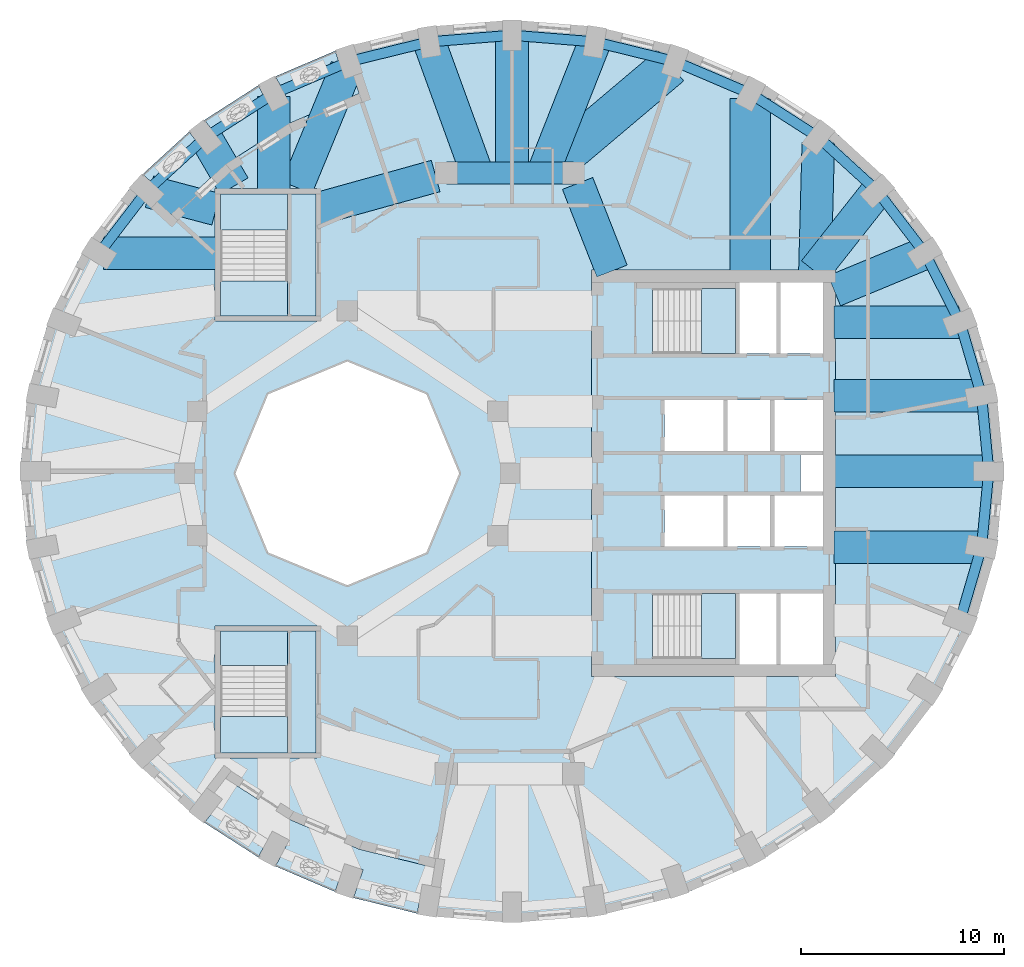
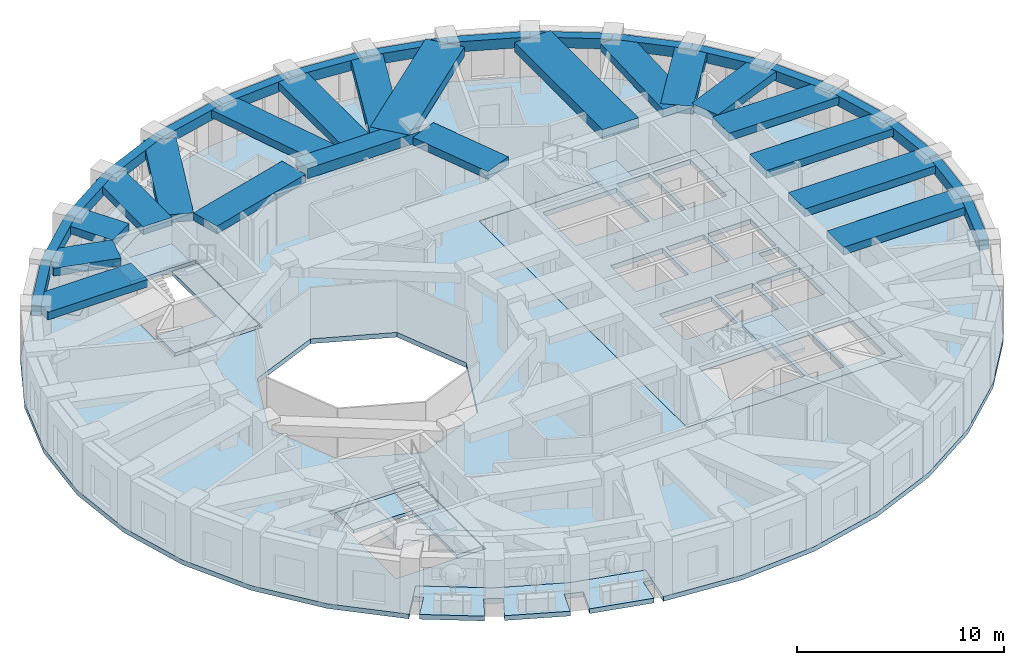
# One storey, part 2 of 12: 37 beams, 12 slabs, 4 elements without a shape of their own.
"""IFC4 building model written with IfcOpenShell, lengths in metres."""

from ifc_helpers import new_model, si_unit, direction, frame, origin, origin_2d, place, context, subcontext, project, spatial, polyline, rectangle, outline, extrude, material, layer, layer_set, material_profile, profile_set, type_object, element, aggregate, save


model = new_model("IFC4")

# Units and contexts
model_context = context("Model", 3, precision=1e-05, world=origin(), true_north=direction((0.0, 1.0)))
body_context = subcontext(model_context, "Body", "Model", "MODEL_VIEW")
ifc_project = project(units=[si_unit("LENGTHUNIT", "METRE"), si_unit("AREAUNIT", "SQUARE_METRE"), si_unit("VOLUMEUNIT", "CUBIC_METRE"), si_unit("PLANEANGLEUNIT", "RADIAN"), si_unit("MASSUNIT", "GRAM", prefix="KILO")], contexts=[model_context])

# Site, building, storey
site_placement = place(None, origin())
site = spatial("IfcSite", under=ifc_project, at=site_placement, CompositionType="ELEMENT")
building_placement = place(site_placement, origin())
building = spatial("IfcBuilding", under=site, at=building_placement, Name="Taillehof Tower", CompositionType="ELEMENT")
storey_placement = place(building_placement, frame((0.0, 0.0, 171.5)))
storey = spatial("IfcBuildingStorey", under=building, at=storey_placement, Name="L48", CompositionType="ELEMENT", Elevation=171.5)

# Beams
ifc_material_1 = material(Name="Concrete C50/60", Category="concrete")
ifc_material_profile_1 = material_profile(ifc_material_1, rectangle(XDim=1.10009765625, YDim=0.60009765625, at=origin_2d()), Name="RC 1100x600")
ifc_profile_set_1 = profile_set([ifc_material_profile_1], Name="Concrete C50/60")
beam_type_1 = type_object("IfcBeamType", Name="Mid-ring beam C50/60 1100x600", PredefinedType="BEAM", material=ifc_profile_set_1)
beam_1_placement = place(storey_placement, frame((3.125732421875, 14.772216796875, 2.719970703125), z_axis=(-1.0, 0.0, 0.0), x_axis=(0.0, -1.0, 0.0)))
element("IfcBeam", 1, at=beam_1_placement, inside=storey, type_object=beam_type_1, Name="Mid-ring beam MB01", PredefinedType="BEAM", context=body_context, shape_type="SweptSolid", body=[
    extrude(rectangle(XDim=1.10009765625, YDim=0.60009765625, at=origin_2d()), origin(), (0.0, 0.0, 1.0), 6.25146484375),
])
ifc_material_2 = material(Name="Concrete C50/60", Category="concrete")
ifc_material_profile_2 = material_profile(ifc_material_2, rectangle(XDim=1.60009765625, YDim=0.449951171875, at=origin_2d()), Name="RC 1600x450")
ifc_profile_set_2 = profile_set([ifc_material_profile_2], Name="Concrete C50/60")
beam_type_2 = type_object("IfcBeamType", Name="Radial band beam C50/60 1600x450", PredefinedType="BEAM", material=ifc_profile_set_2)
beam_2_placement = place(storey_placement, frame((23.550048828125, 0.10009765625, 2.794921875), z_axis=(-1.0, 0.0, 0.0), x_axis=(0.0, -1.0, 0.0)))
element("IfcBeam", 2, at=beam_2_placement, inside=storey, type_object=beam_type_2, Name="Radial band beam RB01", PredefinedType="BEAM", context=body_context, shape_type="SweptSolid", body=[
    extrude(rectangle(XDim=1.60009765625, YDim=0.449951171875, at=origin_2d()), origin(), (0.0, 0.0, 1.0), 7.60009765625),
])
beam_3_placement = place(storey_placement, frame((23.19384765625, 3.82470703125, 2.794921875), z_axis=(-1.0, 0.0, 0.0), x_axis=(0.0, -1.0, 0.0)))
element("IfcBeam", 3, at=beam_3_placement, inside=storey, type_object=beam_type_2, Name="Radial band beam RB02", PredefinedType="BEAM", context=body_context, shape_type="SweptSolid", body=[
    extrude(rectangle(XDim=1.60009765625, YDim=0.449951171875, at=origin_2d()), origin(), (0.0, 0.0, 1.0), 7.243896484375),
])
beam_4_placement = place(storey_placement, frame((22.08642578125, 7.436279296875, 2.794921875), z_axis=(-1.0, 0.0, 0.0), x_axis=(0.0, -1.0, 0.0)))
element("IfcBeam", 4, at=beam_4_placement, inside=storey, type_object=beam_type_2, Name="Radial band beam RB03", PredefinedType="BEAM", context=body_context, shape_type="SweptSolid", body=[
    extrude(rectangle(XDim=1.60009765625, YDim=0.449951171875, at=origin_2d()), origin(), (0.0, 0.0, 1.0), 6.136474609375),
])
beam_5_placement = place(storey_placement, frame((20.408203125, 10.824951171875, 2.794921875), z_axis=(-0.92395697655, -0.382496412381, 0.0), x_axis=(0.382496412381, -0.92395697655, 0.0)))
element("IfcBeam", 5, at=beam_5_placement, inside=storey, type_object=beam_type_2, Name="Radial band beam RB04", PredefinedType="BEAM", context=body_context, shape_type="SweptSolid", body=[
    extrude(rectangle(XDim=1.60009765625, YDim=0.449951171875, at=origin_2d()), origin(), (0.0, 0.0, 1.0), 4.821044921875),
])
beam_6_placement = place(storey_placement, frame((18.063720703125, 13.8876953125, 2.794921875), z_axis=(-0.618961692467, -0.785421175713, 0.0), x_axis=(0.785421175713, -0.618961692467, 0.0)))
element("IfcBeam", 6, at=beam_6_placement, inside=storey, type_object=beam_type_2, Name="Radial band beam RB05", PredefinedType="BEAM", context=body_context, shape_type="SweptSolid", body=[
    extrude(rectangle(XDim=1.60009765625, YDim=0.449951171875, at=origin_2d()), origin(), (0.0, 0.0, 1.0), 4.999755859375),
])
beam_7_placement = place(storey_placement, frame((15.166259765625, 16.259765625, 2.794921875), z_axis=(-0.026533506529, -0.999647924537, 0.0), x_axis=(0.999647924537, -0.026533506529, 0.0)))
element("IfcBeam", 7, at=beam_7_placement, inside=storey, type_object=beam_type_2, Name="Radial band beam RB06", PredefinedType="BEAM", context=body_context, shape_type="SweptSolid", body=[
    extrude(rectangle(XDim=1.60009765625, YDim=0.449951171875, at=origin_2d()), origin(), (0.0, 0.0, 1.0), 6.31201171875),
])
beam_8_placement = place(storey_placement, frame((4.172119140625, 21.22412109375, 2.794921875), z_axis=(-0.36711444375, -0.930175781877, 0.0), x_axis=(0.930175781877, -0.36711444375, 0.0)))
element("IfcBeam", 8, at=beam_8_placement, inside=storey, type_object=beam_type_2, Name="Radial band beam RB09", PredefinedType="BEAM", context=body_context, shape_type="SweptSolid", body=[
    extrude(rectangle(XDim=1.60009765625, YDim=0.449951171875, at=origin_2d()), origin(), (0.0, 0.0, 1.0), 6.936279296875),
])
beam_9_placement = place(storey_placement, frame((0.10009765625, 21.550048828125, 2.794921875), z_axis=(0.0, -1.0, 0.0), x_axis=(1.0, 0.0, 0.0)))
element("IfcBeam", 9, at=beam_9_placement, inside=storey, type_object=beam_type_2, Name="Radial band beam RB10", PredefinedType="BEAM", context=body_context, shape_type="SweptSolid", body=[
    extrude(rectangle(XDim=1.60009765625, YDim=0.449951171875, at=origin_2d()), origin(), (0.0, 0.0, 1.0), 6.77783203125),
])
beam_10_placement = place(storey_placement, frame((-3.97216796875, 21.22412109375, 2.794921875), z_axis=(0.341780181607, -0.939779925015, 0.0), x_axis=(0.939779925015, 0.341780181607, 0.0)))
element("IfcBeam", 10, at=beam_10_placement, inside=storey, type_object=beam_type_2, Name="Radial band beam RB11", PredefinedType="BEAM", context=body_context, shape_type="SweptSolid", body=[
    extrude(rectangle(XDim=1.60009765625, YDim=0.449951171875, at=origin_2d()), origin(), (0.0, 0.0, 1.0), 6.865234375),
])
beam_11_placement = place(storey_placement, frame((-8.04443359375, 19.95556640625, 2.794921875), z_axis=(-0.381176869418, -0.924502133162, 0.0), x_axis=(0.924502133162, -0.381176869418, 0.0)))
element("IfcBeam", 11, at=beam_11_placement, inside=storey, type_object=beam_type_2, Name="Radial band beam RB12", PredefinedType="BEAM", context=body_context, shape_type="SweptSolid", body=[
    extrude(rectangle(XDim=1.60009765625, YDim=0.449951171875, at=origin_2d()), origin(), (0.0, 0.0, 1.0), 6.382568359375),
])
beam_12_placement = place(storey_placement, frame((-11.625, 18.536376953125, 2.794921875), z_axis=(0.0, -1.0, 0.0), x_axis=(1.0, 0.0, 0.0)))
element("IfcBeam", 12, at=beam_12_placement, inside=storey, type_object=beam_type_2, Name="Radial band beam RB13", PredefinedType="BEAM", context=body_context, shape_type="SweptSolid", body=[
    extrude(rectangle(XDim=1.60009765625, YDim=0.449951171875, at=origin_2d()), origin(), (0.0, 0.0, 1.0), 4.58642578125),
])
beam_13_placement = place(storey_placement, frame((-14.973388671875, 16.53173828125, 2.794921875), z_axis=(0.502991419937, -0.864291404255, 0.0), x_axis=(0.864291404255, 0.502991419937, 0.0)))
element("IfcBeam", 13, at=beam_13_placement, inside=storey, type_object=beam_type_2, Name="Radial band beam RB14", PredefinedType="BEAM", context=body_context, shape_type="SweptSolid", body=[
    extrude(rectangle(XDim=1.60009765625, YDim=0.449951171875, at=origin_2d()), origin(), (0.0, 0.0, 1.0), 2.779296875),
])
beam_14_placement = place(storey_placement, frame((-17.72998046875, 13.8525390625, 2.794921875), z_axis=(0.966882543987, -0.255221758736, 0.0), x_axis=(0.255221758736, 0.966882543987, 0.0)))
element("IfcBeam", 14, at=beam_14_placement, inside=storey, type_object=beam_type_2, Name="Radial band beam RB15", PredefinedType="BEAM", context=body_context, shape_type="SweptSolid", body=[
    extrude(rectangle(XDim=1.60009765625, YDim=0.449951171875, at=origin_2d()), origin(), (0.0, 0.0, 1.0), 3.381591796875),
])
beam_15_placement = place(storey_placement, frame((-19.9990234375, 10.824951171875, 2.794921875), z_axis=(1.0, 0.0, 0.0), x_axis=(0.0, 1.0, 0.0)))
element("IfcBeam", 15, at=beam_15_placement, inside=storey, type_object=beam_type_2, Name="Radial band beam RB16", PredefinedType="BEAM", context=body_context, shape_type="SweptSolid", body=[
    extrude(rectangle(XDim=1.60009765625, YDim=0.449951171875, at=origin_2d()), origin(), (0.0, 0.0, 1.0), 5.549072265625),
])
beam_16_placement = place(storey_placement, frame((23.19384765625, -3.624755859375, 2.794921875), z_axis=(-1.0, 0.0, 0.0), x_axis=(0.0, -1.0, 0.0)))
element("IfcBeam", 16, at=beam_16_placement, inside=storey, type_object=beam_type_2, Name="Radial band beam RB36", PredefinedType="BEAM", context=body_context, shape_type="SweptSolid", body=[
    extrude(rectangle(XDim=1.60009765625, YDim=0.449951171875, at=origin_2d()), origin(), (0.0, 0.0, 1.0), 7.243896484375),
])
beam_17_placement = place(storey_placement, frame((3.32666015625, 14.26025390625, 2.794921875), z_axis=(0.365588707223, -0.930776502255, 0.0), x_axis=(0.930776502255, 0.365588707223, 0.0)))
element("IfcBeam", 17, at=beam_17_placement, inside=storey, type_object=beam_type_2, Name="Inner band beam IB205", PredefinedType="BEAM", context=body_context, shape_type="SweptSolid", body=[
    extrude(rectangle(XDim=1.60009765625, YDim=0.449951171875, at=origin_2d()), origin(), (0.0, 0.0, 1.0), 4.627197265625),
])
beam_18_placement = place(storey_placement, frame((-3.655517578125, 14.624755859375, 2.794921875), z_axis=(-0.963459369536, -0.267854518821, 0.0), x_axis=(0.267854518821, -0.963459369536, 0.0)))
element("IfcBeam", 18, at=beam_18_placement, inside=storey, type_object=beam_type_2, Name="Inner band beam IB206", PredefinedType="BEAM", context=body_context, shape_type="SweptSolid", body=[
    extrude(rectangle(XDim=1.60009765625, YDim=0.449951171875, at=origin_2d()), origin(), (0.0, 0.0, 1.0), 6.096923828125),
])
ifc_material_3 = material(Name="Concrete C50/60", Category="concrete")
ifc_material_profile_3 = material_profile(ifc_material_3, rectangle(XDim=2.0, YDim=0.550048828125, at=origin_2d()), Name="RC 2000x550")
ifc_profile_set_3 = profile_set([ifc_material_profile_3], Name="Concrete C50/60")
beam_type_3 = type_object("IfcBeamType", Name="Radial band beam C50/60 2000x550", PredefinedType="BEAM", material=ifc_profile_set_3)
beam_19_placement = place(storey_placement, frame((11.824951171875, 18.430908203125, 2.7451171875), z_axis=(0.0, -1.0, 0.0), x_axis=(1.0, 0.0, 0.0)))
element("IfcBeam", 19, at=beam_19_placement, inside=storey, type_object=beam_type_3, Name="Radial band beam RB07", PredefinedType="BEAM", context=body_context, shape_type="SweptSolid", body=[
    extrude(rectangle(XDim=2.0, YDim=0.550048828125, at=origin_2d()), origin(), (0.0, 0.0, 1.0), 8.48095703125),
])
beam_20_placement = place(storey_placement, frame((7.900390625, 20.070556640625, 2.7451171875), z_axis=(-0.764038060196, -0.645171173079, 0.0), x_axis=(0.645171173079, -0.764038060196, 0.0)))
element("IfcBeam", 20, at=beam_20_placement, inside=storey, type_object=beam_type_3, Name="Radial band beam RB08", PredefinedType="BEAM", context=body_context, shape_type="SweptSolid", body=[
    extrude(rectangle(XDim=2.0, YDim=0.550048828125, at=origin_2d()), origin(), (0.0, 0.0, 1.0), 7.880859375),
])
ifc_material_4 = material(Name="Concrete C50/60", Category="concrete")
ifc_material_profile_4 = material_profile(ifc_material_4, rectangle(XDim=0.5, YDim=0.60009765625, at=origin_2d()), Name="RC 500x600")
ifc_profile_set_4 = profile_set([ifc_material_profile_4], Name="Concrete C50/60")
beam_type_4 = type_object("IfcBeamType", Name="Spandrel beam C50/60 500x600", PredefinedType="SPANDREL", material=ifc_profile_set_4)
beam_21_placement = place(storey_placement, frame((23.550048828125, 0.10009765625, 2.719970703125), z_axis=(-0.095200147056, 0.995458151808, 0.0), x_axis=(-0.995458151808, -0.095200147056, 0.0)))
element("IfcBeam", 21, at=beam_21_placement, inside=storey, type_object=beam_type_4, Name="Spandrel beam SB01", PredefinedType="SPANDREL", context=body_context, shape_type="SweptSolid", body=[
    extrude(rectangle(XDim=0.5, YDim=0.60009765625, at=origin_2d()), origin(), (0.0, 0.0, 1.0), 3.74169921875),
])
beam_22_placement = place(storey_placement, frame((23.19384765625, 3.82470703125, 2.719970703125), z_axis=(-0.281158162606, 0.959661444261, 0.0), x_axis=(-0.959661444261, -0.281158162606, 0.0)))
element("IfcBeam", 22, at=beam_22_placement, inside=storey, type_object=beam_type_4, Name="Spandrel beam SB02", PredefinedType="SPANDREL", context=body_context, shape_type="SweptSolid", body=[
    extrude(rectangle(XDim=0.5, YDim=0.60009765625, at=origin_2d()), origin(), (0.0, 0.0, 1.0), 3.763427734375),
])
beam_23_placement = place(storey_placement, frame((22.1357421875, 7.436279296875, 2.719970703125), z_axis=(-0.454183451696, 0.890908183937, 0.0), x_axis=(-0.890908183937, -0.454183451696, 0.0)))
element("IfcBeam", 23, at=beam_23_placement, inside=storey, type_object=beam_type_4, Name="Spandrel beam SB03", PredefinedType="SPANDREL", context=body_context, shape_type="SweptSolid", body=[
    extrude(rectangle(XDim=0.5, YDim=0.60009765625, at=origin_2d()), origin(), (0.0, 0.0, 1.0), 3.8037109375),
])
beam_24_placement = place(storey_placement, frame((20.408203125, 10.824951171875, 2.719970703125), z_axis=(-0.60784004271, 0.794059495553, 0.0), x_axis=(-0.794059495553, -0.60784004271, 0.0)))
element("IfcBeam", 24, at=beam_24_placement, inside=storey, type_object=beam_type_4, Name="Spandrel beam SB04", PredefinedType="SPANDREL", context=body_context, shape_type="SweptSolid", body=[
    extrude(rectangle(XDim=0.5, YDim=0.60009765625, at=origin_2d()), origin(), (0.0, 0.0, 1.0), 3.857177734375),
])
beam_25_placement = place(storey_placement, frame((18.063720703125, 13.8876953125, 2.719970703125), z_axis=(-0.737849657471, 0.674965097594, 0.0), x_axis=(-0.674965097594, -0.737849657471, 0.0)))
element("IfcBeam", 25, at=beam_25_placement, inside=storey, type_object=beam_type_4, Name="Spandrel beam SB05", PredefinedType="SPANDREL", context=body_context, shape_type="SweptSolid", body=[
    extrude(rectangle(XDim=0.5, YDim=0.60009765625, at=origin_2d()), origin(), (0.0, 0.0, 1.0), 3.917236328125),
])
beam_26_placement = place(storey_placement, frame((15.17333984375, 16.53173828125, 2.719970703125), z_axis=(-0.842092940799, 0.53933243835, 0.0), x_axis=(-0.53933243835, -0.842092940799, 0.0)))
element("IfcBeam", 26, at=beam_26_placement, inside=storey, type_object=beam_type_4, Name="Spandrel beam SB06", PredefinedType="SPANDREL", context=body_context, shape_type="SweptSolid", body=[
    extrude(rectangle(XDim=0.5, YDim=0.60009765625, at=origin_2d()), origin(), (0.0, 0.0, 1.0), 3.976318359375),
])
beam_27_placement = place(storey_placement, frame((11.824951171875, 18.67626953125, 2.719970703125), z_axis=(-0.919827173659, 0.392323808351, 0.0), x_axis=(-0.392323808351, -0.919827173659, 0.0)))
element("IfcBeam", 27, at=beam_27_placement, inside=storey, type_object=beam_type_4, Name="Spandrel beam SB07", PredefinedType="SPANDREL", context=body_context, shape_type="SweptSolid", body=[
    extrude(rectangle(XDim=0.5, YDim=0.60009765625, at=origin_2d()), origin(), (0.0, 0.0, 1.0), 4.027587890625),
])
beam_28_placement = place(storey_placement, frame((8.120361328125, 20.25634765625, 2.719970703125), z_axis=(-0.971248584585, 0.238067610023, 0.0), x_axis=(-0.238067610023, -0.971248584585, 0.0)))
element("IfcBeam", 28, at=beam_28_placement, inside=storey, type_object=beam_type_4, Name="Spandrel beam SB08", PredefinedType="SPANDREL", context=body_context, shape_type="SweptSolid", body=[
    extrude(rectangle(XDim=0.5, YDim=0.60009765625, at=origin_2d()), origin(), (0.0, 0.0, 1.0), 4.065185546875),
])
beam_29_placement = place(storey_placement, frame((4.172119140625, 21.22412109375, 2.719970703125), z_axis=(-0.996812047205, 0.079785603634, 0.0), x_axis=(-0.079785603634, -0.996812047205, 0.0)))
element("IfcBeam", 29, at=beam_29_placement, inside=storey, type_object=beam_type_4, Name="Spandrel beam SB09", PredefinedType="SPANDREL", context=body_context, shape_type="SweptSolid", body=[
    extrude(rectangle(XDim=0.5, YDim=0.60009765625, at=origin_2d()), origin(), (0.0, 0.0, 1.0), 4.0849609375),
])
beam_30_placement = place(storey_placement, frame((0.10009765625, 21.550048828125, 2.719970703125), z_axis=(-0.996812427616, -0.079780850771, 0.0), x_axis=(0.079780850771, -0.996812427616, 0.0)))
element("IfcBeam", 30, at=beam_30_placement, inside=storey, type_object=beam_type_4, Name="Spandrel beam SB10", PredefinedType="SPANDREL", context=body_context, shape_type="SweptSolid", body=[
    extrude(rectangle(XDim=0.5, YDim=0.60009765625, at=origin_2d()), origin(), (0.0, 0.0, 1.0), 4.085205078125),
])
beam_31_placement = place(storey_placement, frame((-3.97216796875, 21.22412109375, 2.719970703125), z_axis=(-0.971248584585, -0.238067610023, 0.0), x_axis=(0.238067610023, -0.971248584585, 0.0)))
element("IfcBeam", 31, at=beam_31_placement, inside=storey, type_object=beam_type_4, Name="Spandrel beam SB11", PredefinedType="SPANDREL", context=body_context, shape_type="SweptSolid", body=[
    extrude(rectangle(XDim=0.5, YDim=0.60009765625, at=origin_2d()), origin(), (0.0, 0.0, 1.0), 4.065185546875),
])
beam_32_placement = place(storey_placement, frame((-7.92041015625, 20.25634765625, 2.719970703125), z_axis=(-0.919827173659, -0.392323808351, 0.0), x_axis=(0.392323808351, -0.919827173659, 0.0)))
element("IfcBeam", 32, at=beam_32_placement, inside=storey, type_object=beam_type_4, Name="Spandrel beam SB12", PredefinedType="SPANDREL", context=body_context, shape_type="SweptSolid", body=[
    extrude(rectangle(XDim=0.5, YDim=0.60009765625, at=origin_2d()), origin(), (0.0, 0.0, 1.0), 4.027587890625),
])
beam_33_placement = place(storey_placement, frame((-11.625, 18.67626953125, 2.719970703125), z_axis=(-0.842092940799, -0.53933243835, 0.0), x_axis=(0.53933243835, -0.842092940799, 0.0)))
element("IfcBeam", 33, at=beam_33_placement, inside=storey, type_object=beam_type_4, Name="Spandrel beam SB13", PredefinedType="SPANDREL", context=body_context, shape_type="SweptSolid", body=[
    extrude(rectangle(XDim=0.5, YDim=0.60009765625, at=origin_2d()), origin(), (0.0, 0.0, 1.0), 3.976318359375),
])
beam_34_placement = place(storey_placement, frame((-14.973388671875, 16.53173828125, 2.719970703125), z_axis=(-0.737849657471, -0.674965097594, 0.0), x_axis=(0.674965097594, -0.737849657471, 0.0)))
element("IfcBeam", 34, at=beam_34_placement, inside=storey, type_object=beam_type_4, Name="Spandrel beam SB14", PredefinedType="SPANDREL", context=body_context, shape_type="SweptSolid", body=[
    extrude(rectangle(XDim=0.5, YDim=0.60009765625, at=origin_2d()), origin(), (0.0, 0.0, 1.0), 3.917236328125),
])
beam_35_placement = place(storey_placement, frame((-17.86376953125, 13.8876953125, 2.719970703125), z_axis=(-0.60784004271, -0.794059495553, 0.0), x_axis=(0.794059495553, -0.60784004271, 0.0)))
element("IfcBeam", 35, at=beam_35_placement, inside=storey, type_object=beam_type_4, Name="Spandrel beam SB15", PredefinedType="SPANDREL", context=body_context, shape_type="SweptSolid", body=[
    extrude(rectangle(XDim=0.5, YDim=0.60009765625, at=origin_2d()), origin(), (0.0, 0.0, 1.0), 3.857177734375),
])
beam_36_placement = place(storey_placement, frame((22.1357421875, -7.236328125, 2.719970703125), z_axis=(0.281158162606, 0.959661444261, 0.0), x_axis=(-0.959661444261, 0.281158162606, 0.0)))
element("IfcBeam", 36, at=beam_36_placement, inside=storey, type_object=beam_type_4, Name="Spandrel beam SB35", PredefinedType="SPANDREL", context=body_context, shape_type="SweptSolid", body=[
    extrude(rectangle(XDim=0.5, YDim=0.60009765625, at=origin_2d()), origin(), (0.0, 0.0, 1.0), 3.763427734375),
])
beam_37_placement = place(storey_placement, frame((23.19384765625, -3.624755859375, 2.719970703125), z_axis=(0.095193963834, 0.995458743118, 0.0), x_axis=(-0.995458743118, 0.095193963834, 0.0)))
element("IfcBeam", 37, at=beam_37_placement, inside=storey, type_object=beam_type_4, Name="Spandrel beam SB36", PredefinedType="SPANDREL", context=body_context, shape_type="SweptSolid", body=[
    extrude(rectangle(XDim=0.5, YDim=0.60009765625, at=origin_2d()), origin(), (0.0, 0.0, 1.0), 3.741943359375),
])

# Slabs
ifc_material_5 = material(Name="Concrete C40/50", Category="concrete")
ifc_layer_1 = layer(ifc_material_5, 0.280029296875)
ifc_layer_set_1 = layer_set([ifc_layer_1], Name="Balcony slab 280")
slab_type_1 = type_object("IfcSlabType", Name="Balcony slab 280", PredefinedType="USERDEFINED", material=ifc_layer_set_1)
slab_1_placement = place(storey_placement, frame((0.0, 0.0, -0.280029296875)))
element("IfcSlab", 38, at=slab_1_placement, inside=storey, type_object=slab_type_1, Name="Balcony L48 pocket 3", ObjectType="BALCONY", PredefinedType="USERDEFINED", context=body_context, shape_type="SweptSolid", body=[
    extrude(outline(polyline([(-16.66748046875, 12.75), (-17.33203125, 13.35791015625), (-16.98974609375, 13.732177734375), (-18.063232421875, 14.7138671875), (-15.783447265625, 16.805419921875), (-14.892333984375, 15.647705078125), (-14.139404296875, 16.22705078125), (-15.027587890625, 17.380859375), (-12.3779296875, 19.0830078125), (-11.69384765625, 17.791259765625), (-10.854248046875, 18.23583984375), (-11.53662109375, 19.52392578125), (-8.596435546875, 20.78173828125), (-8.13330078125, 19.39453125), (-7.701904296875, 19.53857421875), (-7.416748046875, 18.684814453125), (-10.876708984375, 17.204833984375), (-13.991455078125, 15.204345703125), (-16.66748046875, 12.75)])), origin(), (0.0, 0.0, 1.0), 0.280029296875),
])
slab_2_placement = place(storey_placement, frame((0.0, 0.0, -0.280029296875)))
element("IfcSlab", 39, at=slab_2_placement, inside=storey, type_object=slab_type_1, Name="Balcony L48 pocket 7", ObjectType="BALCONY", PredefinedType="USERDEFINED", context=body_context, shape_type="SweptSolid", body=[
    extrude(outline(polyline([(-3.718994140625, -19.3935546875), (-3.86279296875, -20.281982421875), (-4.3212890625, -20.2080078125), (-4.5546875, -21.651611328125), (-7.694580078125, -20.879638671875), (-7.232177734375, -19.495361328125), (-8.13330078125, -19.194580078125), (-8.596435546875, -20.581787109375), (-11.53662109375, -19.323974609375), (-10.854248046875, -18.035888671875), (-11.69384765625, -17.591064453125), (-12.3779296875, -18.883056640625), (-15.027587890625, -17.180908203125), (-14.139404296875, -16.027099609375), (-14.541015625, -15.718017578125), (-13.991455078125, -15.00439453125), (-10.876708984375, -17.0048828125), (-7.416748046875, -18.484619140625), (-3.718994140625, -19.3935546875)])), origin(), (0.0, 0.0, 1.0), 0.280029296875),
])
ifc_material_6 = material(Name="Concrete C40/50", Category="concrete")
ifc_layer_2 = layer(ifc_material_6, 0.280029296875)
ifc_layer_set_2 = layer_set([ifc_layer_2], Name="Core floor slab C40/50 280")
slab_type_2 = type_object("IfcSlabType", Name="Core floor slab C40/50 280", PredefinedType="FLOOR", material=ifc_layer_set_2)
slab_3_placement = place(storey_placement, frame((0.0, 0.0, -0.280029296875)))
element("IfcSlab", 40, at=slab_3_placement, inside=storey, type_object=slab_type_2, Name="Core floor L48", PredefinedType="FLOOR", context=body_context, shape_type="SweptSolid", body=[
    extrude(outline(polyline([(4.0, -10.0), (4.0, 10.0), (16.0, 10.0), (16.0, -10.0), (4.0, -10.0)]), holes=[polyline([(11.10009765625, -9.10009765625), (11.10009765625, -5.89990234375), (7.00048828125, -5.89990234375), (7.00048828125, -9.10009765625), (11.10009765625, -9.10009765625)]), polyline([(10.5, -3.60009765625), (10.5, -1.10009765625), (7.60009765625, -1.10009765625), (7.60009765625, -3.60009765625), (10.5, -3.60009765625)]), polyline([(12.800048828125, -3.60009765625), (12.800048828125, -1.10009765625), (10.699951171875, -1.10009765625), (10.699951171875, -3.60009765625), (12.800048828125, -3.60009765625)]), polyline([(10.5, 3.60009765625), (7.60009765625, 3.60009765625), (7.60009765625, 1.10009765625), (10.5, 1.10009765625), (10.5, 3.60009765625)]), polyline([(12.800048828125, 1.10009765625), (12.800048828125, 3.60009765625), (10.699951171875, 3.60009765625), (10.699951171875, 1.10009765625), (12.800048828125, 1.10009765625)]), polyline([(11.10009765625, 5.89990234375), (11.10009765625, 9.10009765625), (7.00048828125, 9.10009765625), (7.00048828125, 5.89990234375), (11.10009765625, 5.89990234375)]), polyline([(13.10009765625, 9.39990234375), (11.300048828125, 9.39990234375), (11.300048828125, 5.89990234375), (13.10009765625, 5.89990234375), (13.10009765625, 9.39990234375)]), polyline([(13.10009765625, -9.39990234375), (13.10009765625, -5.89990234375), (11.300048828125, -5.89990234375), (11.300048828125, -9.39990234375), (13.10009765625, -9.39990234375)]), polyline([(15.39990234375, -9.39990234375), (15.39990234375, -5.89990234375), (13.300048828125, -5.89990234375), (13.300048828125, -9.39990234375), (15.39990234375, -9.39990234375)]), polyline([(15.39990234375, -3.60009765625), (15.39990234375, -1.10009765625), (13.0, -1.10009765625), (13.0, -3.60009765625), (15.39990234375, -3.60009765625)]), polyline([(15.39990234375, -0.89990234375), (15.39990234375, 0.89990234375), (14.300048828125, 0.89990234375), (14.300048828125, -0.89990234375), (15.39990234375, -0.89990234375)]), polyline([(15.39990234375, 1.10009765625), (15.39990234375, 3.60009765625), (13.0, 3.60009765625), (13.0, 1.10009765625), (15.39990234375, 1.10009765625)]), polyline([(15.39990234375, 5.89990234375), (15.39990234375, 9.39990234375), (13.300048828125, 9.39990234375), (13.300048828125, 5.89990234375), (15.39990234375, 5.89990234375)])]), origin(), (0.0, 0.0, 1.0), 0.280029296875),
])
ifc_material_7 = material(Name="Concrete C40/50", Category="concrete")
ifc_layer_3 = layer(ifc_material_7, 0.280029296875)
ifc_layer_set_3 = layer_set([ifc_layer_3], Name="Floor slab 280")
slab_type_3 = type_object("IfcSlabType", Name="Floor slab 280", PredefinedType="FLOOR", material=ifc_layer_set_3)
slab_4_placement = place(storey_placement, frame((0.0, 0.0, -0.280029296875)))
element("IfcSlab", 41, at=slab_4_placement, inside=storey, type_object=slab_type_3, Name="Floor slab L48", PredefinedType="FLOOR", context=body_context, shape_type="SweptSolid", body=[
    extrude(outline(polyline([(24.300048828125, 0.10009765625), (23.932373046875, 3.955078125), (22.840576171875, 7.69287109375), (21.057861328125, 11.199951171875), (18.63818359375, 14.369873046875), (15.655517578125, 17.106201171875), (12.199951171875, 19.32568359375), (8.376953125, 20.961181640625), (4.30224609375, 21.962646484375), (0.10009765625, 22.300048828125), (-4.102294921875, 21.962646484375), (-8.177001953125, 20.961181640625), (-7.416748046875, 18.684814453125), (-10.876708984375, 17.204833984375), (-13.991455078125, 15.204345703125), (-16.66748046875, 12.75), (-18.438232421875, 14.369873046875), (-20.85791015625, 11.199951171875), (-22.640625, 7.69287109375), (-23.732421875, 3.955078125), (-24.10009765625, 0.10009765625), (-23.732421875, -3.7548828125), (-22.640625, -7.492919921875), (-20.85791015625, -11.0), (-18.438232421875, -14.169921875), (-15.45556640625, -16.90625), (-13.991455078125, -15.00439453125), (-10.876708984375, -17.0048828125), (-7.416748046875, -18.484619140625), (-3.718994140625, -19.3935546875), (-4.102294921875, -21.7626953125), (0.10009765625, -22.10009765625), (4.30224609375, -21.7626953125), (8.376953125, -20.76123046875), (12.199951171875, -19.125732421875), (15.655517578125, -16.90625), (18.63818359375, -14.169921875), (21.057861328125, -11.0), (22.840576171875, -7.492919921875), (23.932373046875, -3.7548828125), (24.300048828125, 0.10009765625)]), holes=[polyline([(-14.5, -7.5), (-9.5, -7.5), (-9.5, -14.0), (-14.5, -14.0), (-14.5, -7.5)]), polyline([(-8.0, -5.5), (-11.88916015625, -3.88916015625), (-13.5, 0.0), (-11.88916015625, 3.88916015625), (-8.0, 5.5), (-4.11083984375, 3.88916015625), (-2.5, 0.0), (-4.11083984375, -3.88916015625), (-8.0, -5.5)]), polyline([(16.0, 10.0), (16.0, -10.0), (4.0, -10.0), (4.0, 10.0), (16.0, 10.0)]), polyline([(-14.5, 14.0), (-9.5, 14.0), (-9.5, 7.5), (-14.5, 7.5), (-14.5, 14.0)])]), origin(), (0.0, 0.0, 1.0), 0.280029296875),
])

# Stair, slab
ifc_material_8 = material(Name="Concrete C40/50", Category="concrete")
stair_type = type_object("IfcStairType", Name="Exit stair half-turn", PredefinedType="HALF_TURN_STAIR", material=ifc_material_8)
stair_1_placement = place(storey_placement, origin())
stair_1 = element("IfcStair", 42, at=stair_1_placement, inside=storey, type_object=stair_type, Name="Exit stair S1", PredefinedType="HALF_TURN_STAIR")
ifc_material_9 = material(Name="Concrete C40/50", Category="concrete")
ifc_layer_4 = layer(ifc_material_9, 0.2099609375)
ifc_layer_set_4 = layer_set([ifc_layer_4], Name="Stair landing C40/50 210")
slab_type_4 = type_object("IfcSlabType", Name="Stair landing C40/50 210", PredefinedType="LANDING", material=ifc_layer_set_4)
slab_5_placement = place(storey_placement, frame((0.0, 0.0, 1.43994140625)))
slab_5 = element("IfcSlab", 43, at=slab_5_placement, type_object=slab_type_4, Name="S1 landing 1", PredefinedType="LANDING", context=body_context, shape_type="SweptSolid", body=[
    extrude(outline(polyline([(9.429931640625, 5.89990234375), (11.10009765625, 5.89990234375), (11.10009765625, 9.10009765625), (9.429931640625, 9.10009765625), (9.429931640625, 5.89990234375)])), origin(), (0.0, 0.0, 1.0), 0.2099609375),
])
aggregate(stair_1, [slab_5])

stair_2_placement = place(storey_placement, origin())
stair_2 = element("IfcStair", 44, at=stair_2_placement, inside=storey, type_object=stair_type, Name="Exit stair S2", PredefinedType="HALF_TURN_STAIR")
slab_6_placement = place(storey_placement, frame((0.0, 0.0, 1.43994140625)))
slab_6 = element("IfcSlab", 45, at=slab_6_placement, type_object=slab_type_4, Name="S2 landing 1", PredefinedType="LANDING", context=body_context, shape_type="SweptSolid", body=[
    extrude(outline(polyline([(9.429931640625, -5.89990234375), (11.10009765625, -5.89990234375), (11.10009765625, -9.10009765625), (9.429931640625, -9.10009765625), (9.429931640625, -5.89990234375)])), origin(), (0.0, 0.0, 1.0), 0.2099609375),
])
aggregate(stair_2, [slab_6])

stair_3_placement = place(storey_placement, origin())
stair_3 = element("IfcStair", 46, at=stair_3_placement, inside=storey, type_object=stair_type, Name="Exit stair S3", PredefinedType="HALF_TURN_STAIR")
slab_7_placement = place(storey_placement, frame((0.0, 0.0, 1.43994140625)))
slab_7 = element("IfcSlab", 47, at=slab_7_placement, type_object=slab_type_4, Name="S3 landing 1", PredefinedType="LANDING", context=body_context, shape_type="SweptSolid", body=[
    extrude(outline(polyline([(-14.25, 11.969970703125), (-14.25, 13.75), (-10.949951171875, 13.75), (-10.949951171875, 11.969970703125), (-14.25, 11.969970703125)])), origin(), (0.0, 0.0, 1.0), 0.2099609375),
])
aggregate(stair_3, [slab_7])

stair_4_placement = place(storey_placement, origin())
stair_4 = element("IfcStair", 48, at=stair_4_placement, inside=storey, type_object=stair_type, Name="Exit stair S4", PredefinedType="HALF_TURN_STAIR")
slab_8_placement = place(storey_placement, frame((0.0, 0.0, 1.43994140625)))
slab_8 = element("IfcSlab", 49, at=slab_8_placement, type_object=slab_type_4, Name="S4 landing 1", PredefinedType="LANDING", context=body_context, shape_type="SweptSolid", body=[
    extrude(outline(polyline([(-14.25, -11.969970703125), (-14.25, -13.75), (-10.949951171875, -13.75), (-10.949951171875, -11.969970703125), (-14.25, -11.969970703125)])), origin(), (0.0, 0.0, 1.0), 0.2099609375),
])
aggregate(stair_4, [slab_8])

# Slabs
slab_9_placement = place(storey_placement, frame((0.0, 0.0, -0.2099609375)))
element("IfcSlab", 50, at=slab_9_placement, inside=storey, type_object=slab_type_4, Name="Stair S3 floor landing", PredefinedType="LANDING", context=body_context, shape_type="SweptSolid", body=[
    extrude(outline(polyline([(-14.25, 7.75), (-14.25, 9.449951171875), (-10.949951171875, 9.449951171875), (-10.949951171875, 7.75), (-14.25, 7.75)])), origin(), (0.0, 0.0, 1.0), 0.2099609375),
])
slab_10_placement = place(storey_placement, frame((0.0, 0.0, -0.2099609375)))
element("IfcSlab", 51, at=slab_10_placement, inside=storey, type_object=slab_type_4, Name="Stair lobby S3 floor", PredefinedType="LANDING", context=body_context, shape_type="SweptSolid", body=[
    extrude(outline(polyline([(-10.949951171875, 7.75), (-9.550048828125, 7.75), (-9.550048828125, 13.75), (-10.949951171875, 13.75), (-10.949951171875, 7.75)])), origin(), (0.0, 0.0, 1.0), 0.2099609375),
])
slab_11_placement = place(storey_placement, frame((0.0, 0.0, -0.2099609375)))
element("IfcSlab", 52, at=slab_11_placement, inside=storey, type_object=slab_type_4, Name="Stair S4 floor landing", PredefinedType="LANDING", context=body_context, shape_type="SweptSolid", body=[
    extrude(outline(polyline([(-14.25, -7.75), (-14.25, -9.449951171875), (-10.949951171875, -9.449951171875), (-10.949951171875, -7.75), (-14.25, -7.75)])), origin(), (0.0, 0.0, 1.0), 0.2099609375),
])
slab_12_placement = place(storey_placement, frame((0.0, 0.0, -0.2099609375)))
element("IfcSlab", 53, at=slab_12_placement, inside=storey, type_object=slab_type_4, Name="Stair lobby S4 floor", PredefinedType="LANDING", context=body_context, shape_type="SweptSolid", body=[
    extrude(outline(polyline([(-10.949951171875, -13.75), (-9.550048828125, -13.75), (-9.550048828125, -7.75), (-10.949951171875, -7.75), (-10.949951171875, -13.75)])), origin(), (0.0, 0.0, 1.0), 0.2099609375),
])

save(model, "model.ifc")
